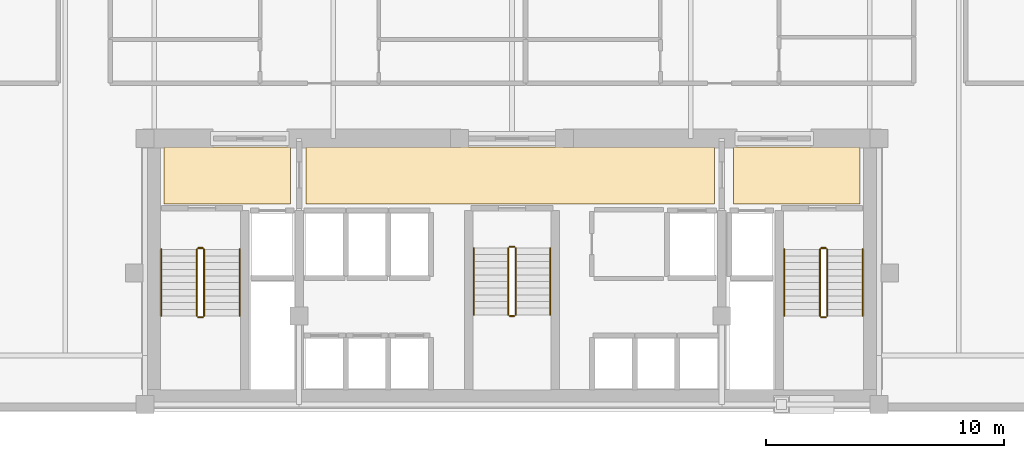
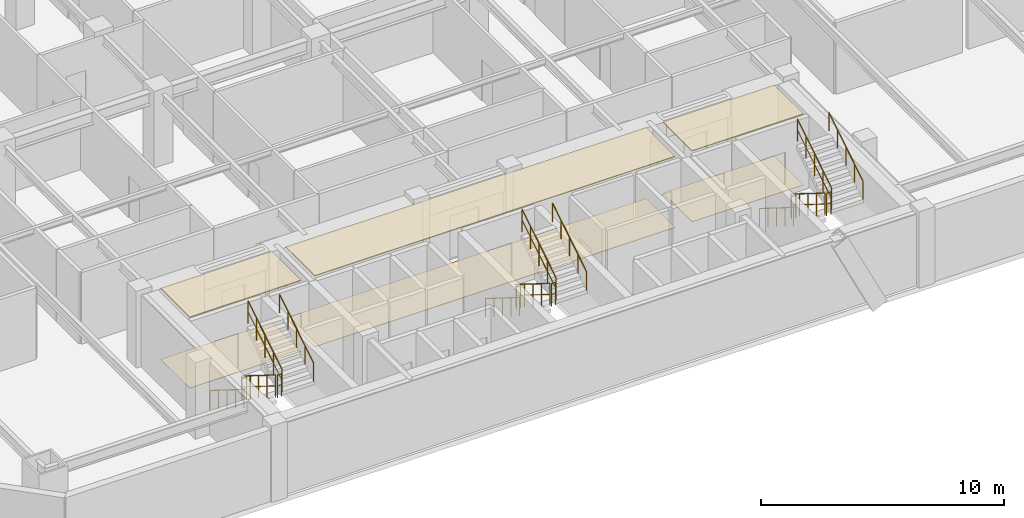
# One storey, part 8 of 8: 18 railings, 6 coverings.
"""IFC4 building model written with IfcOpenShell, lengths in metres."""

from ifc_helpers import new_model, si_unit, direction, frame, origin, origin_2d, place, context, subcontext, project, spatial, polyline, circle, outline, extrude, material, layer, layer_set, type_object, element, save


model = new_model("IFC4")

# Units and contexts
model_context = context("Model", 3, precision=1e-05, world=origin(), true_north=direction((0.0, 1.0)))
body_context = subcontext(model_context, "Body", "Model", "MODEL_VIEW")
ifc_project = project(units=[si_unit("LENGTHUNIT", "METRE"), si_unit("AREAUNIT", "SQUARE_METRE"), si_unit("VOLUMEUNIT", "CUBIC_METRE"), si_unit("PLANEANGLEUNIT", "RADIAN"), si_unit("MASSUNIT", "GRAM", prefix="KILO")], contexts=[model_context])

# Site, building, storey
site_placement = place(None, origin())
site = spatial("IfcSite", under=ifc_project, at=site_placement, CompositionType="ELEMENT")
building_placement = place(site_placement, origin())
building = spatial("IfcBuilding", under=site, at=building_placement, Name="Ventersveld Concourse Tower", CompositionType="ELEMENT")
storey_placement = place(building_placement, frame((0.0, 0.0, 33.64990234375)))
storey = spatial("IfcBuildingStorey", under=building, at=storey_placement, Name="L07", CompositionType="ELEMENT", Elevation=33.64990234375)

# Coverings
ifc_material_1 = material(Name="Mineral-fibre acoustic ceiling tile", Category="gypsum")
ifc_layer_1 = layer(ifc_material_1, 0.0400390625)
ifc_layer_set_1 = layer_set([ifc_layer_1], Name="Mineral-fibre acoustic ceiling tile")
covering_type_1 = type_object("IfcCoveringType", Name="COV-CEIL-ACOUSTIC", PredefinedType="CEILING", material=ifc_layer_set_1)
covering_1_placement = place(storey_placement, frame((0.0, 0.0, 3.56005859375)))
element("IfcCovering", 1, at=covering_1_placement, inside=storey, type_object=covering_type_1, Name="L07 North Lift Lobby Acoustic Ceiling", PredefinedType="CEILING", context=body_context, shape_type="SweptSolid", body=[
    extrude(outline(polyline([(20.10009765625, 8.699951171875), (37.25, 8.699951171875), (37.25, 11.10009765625), (20.10009765625, 11.10009765625), (20.10009765625, 8.699951171875)])), origin(), (0.0, 0.0, 1.0), 0.0400390625),
])
covering_2_placement = place(storey_placement, frame((0.0, 0.0, 3.56005859375)))
element("IfcCovering", 2, at=covering_2_placement, inside=storey, type_object=covering_type_1, Name="L07 West Firefighting Lobby Acoustic Ceiling", PredefinedType="CEILING", context=body_context, shape_type="SweptSolid", body=[
    extrude(outline(polyline([(14.14990234375, 8.699951171875), (19.449951171875, 8.699951171875), (19.449951171875, 11.10009765625), (14.14990234375, 11.10009765625), (14.14990234375, 8.699951171875)])), origin(), (0.0, 0.0, 1.0), 0.0400390625),
])
covering_3_placement = place(storey_placement, frame((0.0, 0.0, 3.56005859375)))
element("IfcCovering", 3, at=covering_3_placement, inside=storey, type_object=covering_type_1, Name="L07 East Firefighting Lobby Acoustic Ceiling", PredefinedType="CEILING", context=body_context, shape_type="SweptSolid", body=[
    extrude(outline(polyline([(38.050048828125, 8.699951171875), (43.35009765625, 8.699951171875), (43.35009765625, 11.10009765625), (38.050048828125, 11.10009765625), (38.050048828125, 8.699951171875)])), origin(), (0.0, 0.0, 1.0), 0.0400390625),
])
ifc_material_2 = material(Name="Polished Highveld granite terrazzo", Category="masonry")
ifc_layer_2 = layer(ifc_material_2, 0.02001953125)
ifc_layer_set_2 = layer_set([ifc_layer_2], Name="Polished Highveld granite terrazzo")
covering_type_2 = type_object("IfcCoveringType", Name="COV-FLOOR-TERRAZZO", PredefinedType="FLOORING", material=ifc_layer_set_2)
covering_4_placement = place(storey_placement, origin())
element("IfcCovering", 4, at=covering_4_placement, inside=storey, type_object=covering_type_2, Name="L07 North Lift Lobby Terrazzo Flooring", PredefinedType="FLOORING", context=body_context, shape_type="SweptSolid", body=[
    extrude(outline(polyline([(20.10009765625, 8.699951171875), (37.25, 8.699951171875), (37.25, 11.10009765625), (20.10009765625, 11.10009765625), (20.10009765625, 8.699951171875)])), origin(), (0.0, 0.0, 1.0), 0.02001953125),
])
covering_5_placement = place(storey_placement, origin())
element("IfcCovering", 5, at=covering_5_placement, inside=storey, type_object=covering_type_2, Name="L07 West Firefighting Lobby Terrazzo Flooring", PredefinedType="FLOORING", context=body_context, shape_type="SweptSolid", body=[
    extrude(outline(polyline([(14.14990234375, 8.699951171875), (19.449951171875, 8.699951171875), (19.449951171875, 11.10009765625), (14.14990234375, 11.10009765625), (14.14990234375, 8.699951171875)])), origin(), (0.0, 0.0, 1.0), 0.02001953125),
])
covering_6_placement = place(storey_placement, origin())
element("IfcCovering", 6, at=covering_6_placement, inside=storey, type_object=covering_type_2, Name="L07 East Firefighting Lobby Terrazzo Flooring", PredefinedType="FLOORING", context=body_context, shape_type="SweptSolid", body=[
    extrude(outline(polyline([(38.050048828125, 8.699951171875), (43.35009765625, 8.699951171875), (43.35009765625, 11.10009765625), (38.050048828125, 11.10009765625), (38.050048828125, 8.699951171875)])), origin(), (0.0, 0.0, 1.0), 0.02001953125),
])

# Railings
ifc_material_3 = material(Name="Brushed stainless steel 316", Category="steel")
railing_type_1 = type_object("IfcRailingType", Name="GD-BAL-115", PredefinedType="GUARDRAIL", material=ifc_material_3)
railing_1_placement = place(storey_placement, frame((15.530029296875, 6.800048828125, 0.175048828125)))
element("IfcRailing", 7, at=railing_1_placement, inside=storey, type_object=railing_type_1, Name="L07 ST-01 stair guard 1", PredefinedType="GUARDRAIL", context=body_context, shape_type="SweptSolid", body=[
    extrude(circle(Radius=0.02392578125, at=origin_2d()), frame((0.0, 0.0, 1.1259765625), z_axis=(0.0, -0.848002457836, 0.529992293815), x_axis=(1.0, 0.0, 0.0)), (0.0, 0.0, 1.0), 3.302001953125),
    extrude(circle(Radius=0.01611328125, at=origin_2d()), frame((0.0, 0.0, 0.574951171875), z_axis=(0.0, -0.848002457836, 0.529992293815), x_axis=(1.0, 0.0, 0.0)), (0.0, 0.0, 1.0), 3.302001953125),
    extrude(circle(Radius=0.02099609375, at=origin_2d()), origin(), (0.0, 0.0, 1.0), 1.101806640625),
    extrude(circle(Radius=0.02099609375, at=origin_2d()), frame((0.0, -0.699951171875, 0.4375)), (0.0, 0.0, 1.0), 1.101806640625),
    extrude(circle(Radius=0.02099609375, at=origin_2d()), frame((0.0, -1.39990234375, 0.875)), (0.0, 0.0, 1.0), 1.101806640625),
    extrude(circle(Radius=0.02099609375, at=origin_2d()), frame((0.0, -2.10009765625, 1.3125)), (0.0, 0.0, 1.0), 1.101806640625),
    extrude(circle(Radius=0.02099609375, at=origin_2d()), frame((0.0, -2.800048828125, 1.75)), (0.0, 0.0, 1.0), 1.101806640625),
])
railing_2_placement = place(storey_placement, frame((15.580078125, 3.949951171875, 1.925048828125)))
element("IfcRailing", 8, at=railing_2_placement, inside=storey, type_object=railing_type_1, Name="L07 ST-01 stair guard 2", PredefinedType="GUARDRAIL", context=body_context, shape_type="SweptSolid", body=[
    extrude(circle(Radius=0.02392578125, at=origin_2d()), frame((0.0, 0.0, 1.1259765625), z_axis=(1.0, 0.0, 0.0), x_axis=(0.0, 1.0, 0.0)), (0.0, 0.0, 1.0), 0.199951171875),
    extrude(circle(Radius=0.01611328125, at=origin_2d()), frame((0.0, 0.0, 0.574951171875), z_axis=(1.0, 0.0, 0.0), x_axis=(0.0, 1.0, 0.0)), (0.0, 0.0, 1.0), 0.199951171875),
    extrude(circle(Radius=0.02099609375, at=origin_2d()), origin(), (0.0, 0.0, 1.0), 1.101806640625),
    extrude(circle(Radius=0.02099609375, at=origin_2d()), frame((0.199951171875, 0.0, 0.0)), (0.0, 0.0, 1.0), 1.101806640625),
])
railing_3_placement = place(storey_placement, frame((15.830078125, 4.0, 2.10009765625)))
element("IfcRailing", 9, at=railing_3_placement, inside=storey, type_object=railing_type_1, Name="L07 ST-01 stair guard 3", PredefinedType="GUARDRAIL", context=body_context, shape_type="SweptSolid", body=[
    extrude(circle(Radius=0.02392578125, at=origin_2d()), frame((0.0, 0.0, 1.1259765625), z_axis=(0.0, 0.848002457836, 0.529992293815), x_axis=(-1.0, 0.0, 0.0)), (0.0, 0.0, 1.0), 3.302001953125),
    extrude(circle(Radius=0.01611328125, at=origin_2d()), frame((0.0, 0.0, 0.574951171875), z_axis=(0.0, 0.848002457836, 0.529992293815), x_axis=(-1.0, 0.0, 0.0)), (0.0, 0.0, 1.0), 3.302001953125),
    extrude(circle(Radius=0.02099609375, at=origin_2d()), origin(), (0.0, 0.0, 1.0), 1.101806640625),
    extrude(circle(Radius=0.02099609375, at=origin_2d()), frame((0.0, 0.699951171875, 0.4375)), (0.0, 0.0, 1.0), 1.101806640625),
    extrude(circle(Radius=0.02099609375, at=origin_2d()), frame((0.0, 1.39990234375, 0.875)), (0.0, 0.0, 1.0), 1.101806640625),
    extrude(circle(Radius=0.02099609375, at=origin_2d()), frame((0.0, 2.10009765625, 1.3125)), (0.0, 0.0, 1.0), 1.101806640625),
    extrude(circle(Radius=0.02099609375, at=origin_2d()), frame((0.0, 2.800048828125, 1.75)), (0.0, 0.0, 1.0), 1.101806640625),
])
railing_4_placement = place(storey_placement, frame((15.580078125, 6.85009765625, 0.0)))
element("IfcRailing", 10, at=railing_4_placement, inside=storey, type_object=railing_type_1, Name="L07 ST-01 stair guard 4", PredefinedType="GUARDRAIL", context=body_context, shape_type="SweptSolid", body=[
    extrude(circle(Radius=0.02392578125, at=origin_2d()), frame((0.0, 0.0, 1.1259765625), z_axis=(1.0, 0.0, 0.0), x_axis=(0.0, 1.0, 0.0)), (0.0, 0.0, 1.0), 0.199951171875),
    extrude(circle(Radius=0.01611328125, at=origin_2d()), frame((0.0, 0.0, 0.574951171875), z_axis=(1.0, 0.0, 0.0), x_axis=(0.0, 1.0, 0.0)), (0.0, 0.0, 1.0), 0.199951171875),
    extrude(circle(Radius=0.02099609375, at=origin_2d()), origin(), (0.0, 0.0, 1.0), 1.101806640625),
    extrude(circle(Radius=0.02099609375, at=origin_2d()), frame((0.199951171875, 0.0, 0.0)), (0.0, 0.0, 1.0), 1.101806640625),
])
railing_5_placement = place(storey_placement, frame((41.669921875, 6.800048828125, 0.175048828125)))
element("IfcRailing", 11, at=railing_5_placement, inside=storey, type_object=railing_type_1, Name="L07 ST-02 stair guard 1", PredefinedType="GUARDRAIL", context=body_context, shape_type="SweptSolid", body=[
    extrude(circle(Radius=0.02392578125, at=origin_2d()), frame((0.0, 0.0, 1.1259765625), z_axis=(0.0, -0.848002457836, 0.529992293815), x_axis=(1.0, 0.0, 0.0)), (0.0, 0.0, 1.0), 3.302001953125),
    extrude(circle(Radius=0.01611328125, at=origin_2d()), frame((0.0, 0.0, 0.574951171875), z_axis=(0.0, -0.848002457836, 0.529992293815), x_axis=(1.0, 0.0, 0.0)), (0.0, 0.0, 1.0), 3.302001953125),
    extrude(circle(Radius=0.02099609375, at=origin_2d()), origin(), (0.0, 0.0, 1.0), 1.101806640625),
    extrude(circle(Radius=0.02099609375, at=origin_2d()), frame((0.0, -0.699951171875, 0.4375)), (0.0, 0.0, 1.0), 1.101806640625),
    extrude(circle(Radius=0.02099609375, at=origin_2d()), frame((0.0, -1.39990234375, 0.875)), (0.0, 0.0, 1.0), 1.101806640625),
    extrude(circle(Radius=0.02099609375, at=origin_2d()), frame((0.0, -2.10009765625, 1.3125)), (0.0, 0.0, 1.0), 1.101806640625),
    extrude(circle(Radius=0.02099609375, at=origin_2d()), frame((0.0, -2.800048828125, 1.75)), (0.0, 0.0, 1.0), 1.101806640625),
])
railing_6_placement = place(storey_placement, frame((41.719970703125, 3.949951171875, 1.925048828125)))
element("IfcRailing", 12, at=railing_6_placement, inside=storey, type_object=railing_type_1, Name="L07 ST-02 stair guard 2", PredefinedType="GUARDRAIL", context=body_context, shape_type="SweptSolid", body=[
    extrude(circle(Radius=0.02392578125, at=origin_2d()), frame((0.0, 0.0, 1.1259765625), z_axis=(1.0, 0.0, 0.0), x_axis=(0.0, 1.0, 0.0)), (0.0, 0.0, 1.0), 0.199951171875),
    extrude(circle(Radius=0.01611328125, at=origin_2d()), frame((0.0, 0.0, 0.574951171875), z_axis=(1.0, 0.0, 0.0), x_axis=(0.0, 1.0, 0.0)), (0.0, 0.0, 1.0), 0.199951171875),
    extrude(circle(Radius=0.02099609375, at=origin_2d()), origin(), (0.0, 0.0, 1.0), 1.101806640625),
    extrude(circle(Radius=0.02099609375, at=origin_2d()), frame((0.199951171875, 0.0, 0.0)), (0.0, 0.0, 1.0), 1.101806640625),
])
railing_7_placement = place(storey_placement, frame((41.969970703125, 4.0, 2.10009765625)))
element("IfcRailing", 13, at=railing_7_placement, inside=storey, type_object=railing_type_1, Name="L07 ST-02 stair guard 3", PredefinedType="GUARDRAIL", context=body_context, shape_type="SweptSolid", body=[
    extrude(circle(Radius=0.02392578125, at=origin_2d()), frame((0.0, 0.0, 1.1259765625), z_axis=(0.0, 0.848002457836, 0.529992293815), x_axis=(-1.0, 0.0, 0.0)), (0.0, 0.0, 1.0), 3.302001953125),
    extrude(circle(Radius=0.01611328125, at=origin_2d()), frame((0.0, 0.0, 0.574951171875), z_axis=(0.0, 0.848002457836, 0.529992293815), x_axis=(-1.0, 0.0, 0.0)), (0.0, 0.0, 1.0), 3.302001953125),
    extrude(circle(Radius=0.02099609375, at=origin_2d()), origin(), (0.0, 0.0, 1.0), 1.101806640625),
    extrude(circle(Radius=0.02099609375, at=origin_2d()), frame((0.0, 0.699951171875, 0.4375)), (0.0, 0.0, 1.0), 1.101806640625),
    extrude(circle(Radius=0.02099609375, at=origin_2d()), frame((0.0, 1.39990234375, 0.875)), (0.0, 0.0, 1.0), 1.101806640625),
    extrude(circle(Radius=0.02099609375, at=origin_2d()), frame((0.0, 2.10009765625, 1.3125)), (0.0, 0.0, 1.0), 1.101806640625),
    extrude(circle(Radius=0.02099609375, at=origin_2d()), frame((0.0, 2.800048828125, 1.75)), (0.0, 0.0, 1.0), 1.101806640625),
])
railing_8_placement = place(storey_placement, frame((41.719970703125, 6.85009765625, 0.0)))
element("IfcRailing", 14, at=railing_8_placement, inside=storey, type_object=railing_type_1, Name="L07 ST-02 stair guard 4", PredefinedType="GUARDRAIL", context=body_context, shape_type="SweptSolid", body=[
    extrude(circle(Radius=0.02392578125, at=origin_2d()), frame((0.0, 0.0, 1.1259765625), z_axis=(1.0, 0.0, 0.0), x_axis=(0.0, 1.0, 0.0)), (0.0, 0.0, 1.0), 0.199951171875),
    extrude(circle(Radius=0.01611328125, at=origin_2d()), frame((0.0, 0.0, 0.574951171875), z_axis=(1.0, 0.0, 0.0), x_axis=(0.0, 1.0, 0.0)), (0.0, 0.0, 1.0), 0.199951171875),
    extrude(circle(Radius=0.02099609375, at=origin_2d()), origin(), (0.0, 0.0, 1.0), 1.101806640625),
    extrude(circle(Radius=0.02099609375, at=origin_2d()), frame((0.199951171875, 0.0, 0.0)), (0.0, 0.0, 1.0), 1.101806640625),
])
railing_9_placement = place(storey_placement, frame((28.60009765625, 6.85009765625, 0.175048828125)))
element("IfcRailing", 15, at=railing_9_placement, inside=storey, type_object=railing_type_1, Name="L07 ST-03 stair guard 1", PredefinedType="GUARDRAIL", context=body_context, shape_type="SweptSolid", body=[
    extrude(circle(Radius=0.02392578125, at=origin_2d()), frame((0.0, 0.0, 1.1259765625), z_axis=(0.0, -0.848002457836, 0.529992293815), x_axis=(1.0, 0.0, 0.0)), (0.0, 0.0, 1.0), 3.302001953125),
    extrude(circle(Radius=0.01611328125, at=origin_2d()), frame((0.0, 0.0, 0.574951171875), z_axis=(0.0, -0.848002457836, 0.529992293815), x_axis=(1.0, 0.0, 0.0)), (0.0, 0.0, 1.0), 3.302001953125),
    extrude(circle(Radius=0.02099609375, at=origin_2d()), origin(), (0.0, 0.0, 1.0), 1.101806640625),
    extrude(circle(Radius=0.02099609375, at=origin_2d()), frame((0.0, -0.699951171875, 0.4375)), (0.0, 0.0, 1.0), 1.101806640625),
    extrude(circle(Radius=0.02099609375, at=origin_2d()), frame((0.0, -1.39990234375, 0.875)), (0.0, 0.0, 1.0), 1.101806640625),
    extrude(circle(Radius=0.02099609375, at=origin_2d()), frame((0.0, -2.10009765625, 1.3125)), (0.0, 0.0, 1.0), 1.101806640625),
    extrude(circle(Radius=0.02099609375, at=origin_2d()), frame((0.0, -2.800048828125, 1.75)), (0.0, 0.0, 1.0), 1.101806640625),
])
railing_10_placement = place(storey_placement, frame((28.64990234375, 4.0, 1.925048828125)))
element("IfcRailing", 16, at=railing_10_placement, inside=storey, type_object=railing_type_1, Name="L07 ST-03 stair guard 2", PredefinedType="GUARDRAIL", context=body_context, shape_type="SweptSolid", body=[
    extrude(circle(Radius=0.02392578125, at=origin_2d()), frame((0.0, 0.0, 1.1259765625), z_axis=(1.0, 0.0, 0.0), x_axis=(0.0, 1.0, 0.0)), (0.0, 0.0, 1.0), 0.2001953125),
    extrude(circle(Radius=0.01611328125, at=origin_2d()), frame((0.0, 0.0, 0.574951171875), z_axis=(1.0, 0.0, 0.0), x_axis=(0.0, 1.0, 0.0)), (0.0, 0.0, 1.0), 0.2001953125),
    extrude(circle(Radius=0.02099609375, at=origin_2d()), origin(), (0.0, 0.0, 1.0), 1.101806640625),
    extrude(circle(Radius=0.02099609375, at=origin_2d()), frame((0.2001953125, 0.0, 0.0)), (0.0, 0.0, 1.0), 1.101806640625),
])
railing_11_placement = place(storey_placement, frame((28.89990234375, 4.050048828125, 2.10009765625)))
element("IfcRailing", 17, at=railing_11_placement, inside=storey, type_object=railing_type_1, Name="L07 ST-03 stair guard 3", PredefinedType="GUARDRAIL", context=body_context, shape_type="SweptSolid", body=[
    extrude(circle(Radius=0.02392578125, at=origin_2d()), frame((0.0, 0.0, 1.1259765625), z_axis=(0.0, 0.848002457836, 0.529992293815), x_axis=(-1.0, 0.0, 0.0)), (0.0, 0.0, 1.0), 3.302001953125),
    extrude(circle(Radius=0.01611328125, at=origin_2d()), frame((0.0, 0.0, 0.574951171875), z_axis=(0.0, 0.848002457836, 0.529992293815), x_axis=(-1.0, 0.0, 0.0)), (0.0, 0.0, 1.0), 3.302001953125),
    extrude(circle(Radius=0.02099609375, at=origin_2d()), origin(), (0.0, 0.0, 1.0), 1.101806640625),
    extrude(circle(Radius=0.02099609375, at=origin_2d()), frame((0.0, 0.699951171875, 0.4375)), (0.0, 0.0, 1.0), 1.101806640625),
    extrude(circle(Radius=0.02099609375, at=origin_2d()), frame((0.0, 1.39990234375, 0.875)), (0.0, 0.0, 1.0), 1.101806640625),
    extrude(circle(Radius=0.02099609375, at=origin_2d()), frame((0.0, 2.10009765625, 1.3125)), (0.0, 0.0, 1.0), 1.101806640625),
    extrude(circle(Radius=0.02099609375, at=origin_2d()), frame((0.0, 2.800048828125, 1.75)), (0.0, 0.0, 1.0), 1.101806640625),
])
railing_12_placement = place(storey_placement, frame((28.64990234375, 6.89990234375, 0.0)))
element("IfcRailing", 18, at=railing_12_placement, inside=storey, type_object=railing_type_1, Name="L07 ST-03 stair guard 4", PredefinedType="GUARDRAIL", context=body_context, shape_type="SweptSolid", body=[
    extrude(circle(Radius=0.02392578125, at=origin_2d()), frame((0.0, 0.0, 1.1259765625), z_axis=(1.0, 0.0, 0.0), x_axis=(0.0, 1.0, 0.0)), (0.0, 0.0, 1.0), 0.2001953125),
    extrude(circle(Radius=0.01611328125, at=origin_2d()), frame((0.0, 0.0, 0.574951171875), z_axis=(1.0, 0.0, 0.0), x_axis=(0.0, 1.0, 0.0)), (0.0, 0.0, 1.0), 0.2001953125),
    extrude(circle(Radius=0.02099609375, at=origin_2d()), origin(), (0.0, 0.0, 1.0), 1.101806640625),
    extrude(circle(Radius=0.02099609375, at=origin_2d()), frame((0.2001953125, 0.0, 0.0)), (0.0, 0.0, 1.0), 1.101806640625),
])
railing_type_2 = type_object("IfcRailingType", Name="HR-RMP-095", PredefinedType="HANDRAIL", material=ifc_material_3)
railing_13_placement = place(storey_placement, frame((14.030029296875, 6.800048828125, 0.175048828125)))
element("IfcRailing", 19, at=railing_13_placement, inside=storey, type_object=railing_type_2, Name="L07 ST-01 stair handrail 1", PredefinedType="HANDRAIL", context=body_context, shape_type="SweptSolid", body=[
    extrude(circle(Radius=0.02392578125, at=origin_2d()), frame((0.0, 0.0, 0.92578125), z_axis=(0.0, -0.848002457836, 0.529992293815), x_axis=(1.0, 0.0, 0.0)), (0.0, 0.0, 1.0), 3.302001953125),
    extrude(circle(Radius=0.02099609375, at=origin_2d()), origin(), (0.0, 0.0, 1.0), 0.90185546875),
    extrude(circle(Radius=0.02099609375, at=origin_2d()), frame((0.0, -0.699951171875, 0.4375)), (0.0, 0.0, 1.0), 0.90185546875),
    extrude(circle(Radius=0.02099609375, at=origin_2d()), frame((0.0, -1.39990234375, 0.875)), (0.0, 0.0, 1.0), 0.90185546875),
    extrude(circle(Radius=0.02099609375, at=origin_2d()), frame((0.0, -2.10009765625, 1.3125)), (0.0, 0.0, 1.0), 0.90185546875),
    extrude(circle(Radius=0.02099609375, at=origin_2d()), frame((0.0, -2.800048828125, 1.75)), (0.0, 0.0, 1.0), 0.90185546875),
])
railing_14_placement = place(storey_placement, frame((17.330078125, 4.0, 2.10009765625)))
element("IfcRailing", 20, at=railing_14_placement, inside=storey, type_object=railing_type_2, Name="L07 ST-01 stair handrail 2", PredefinedType="HANDRAIL", context=body_context, shape_type="SweptSolid", body=[
    extrude(circle(Radius=0.02392578125, at=origin_2d()), frame((0.0, 0.0, 0.92578125), z_axis=(0.0, 0.848002457836, 0.529992293815), x_axis=(-1.0, 0.0, 0.0)), (0.0, 0.0, 1.0), 3.302001953125),
    extrude(circle(Radius=0.02099609375, at=origin_2d()), origin(), (0.0, 0.0, 1.0), 0.90185546875),
    extrude(circle(Radius=0.02099609375, at=origin_2d()), frame((0.0, 0.699951171875, 0.4375)), (0.0, 0.0, 1.0), 0.90185546875),
    extrude(circle(Radius=0.02099609375, at=origin_2d()), frame((0.0, 1.39990234375, 0.875)), (0.0, 0.0, 1.0), 0.90185546875),
    extrude(circle(Radius=0.02099609375, at=origin_2d()), frame((0.0, 2.10009765625, 1.3125)), (0.0, 0.0, 1.0), 0.90185546875),
    extrude(circle(Radius=0.02099609375, at=origin_2d()), frame((0.0, 2.800048828125, 1.75)), (0.0, 0.0, 1.0), 0.90185546875),
])
railing_15_placement = place(storey_placement, frame((40.169921875, 6.800048828125, 0.175048828125)))
element("IfcRailing", 21, at=railing_15_placement, inside=storey, type_object=railing_type_2, Name="L07 ST-02 stair handrail 1", PredefinedType="HANDRAIL", context=body_context, shape_type="SweptSolid", body=[
    extrude(circle(Radius=0.02392578125, at=origin_2d()), frame((0.0, 0.0, 0.92578125), z_axis=(0.0, -0.848002457836, 0.529992293815), x_axis=(1.0, 0.0, 0.0)), (0.0, 0.0, 1.0), 3.302001953125),
    extrude(circle(Radius=0.02099609375, at=origin_2d()), origin(), (0.0, 0.0, 1.0), 0.90185546875),
    extrude(circle(Radius=0.02099609375, at=origin_2d()), frame((0.0, -0.699951171875, 0.4375)), (0.0, 0.0, 1.0), 0.90185546875),
    extrude(circle(Radius=0.02099609375, at=origin_2d()), frame((0.0, -1.39990234375, 0.875)), (0.0, 0.0, 1.0), 0.90185546875),
    extrude(circle(Radius=0.02099609375, at=origin_2d()), frame((0.0, -2.10009765625, 1.3125)), (0.0, 0.0, 1.0), 0.90185546875),
    extrude(circle(Radius=0.02099609375, at=origin_2d()), frame((0.0, -2.800048828125, 1.75)), (0.0, 0.0, 1.0), 0.90185546875),
])
railing_16_placement = place(storey_placement, frame((43.469970703125, 4.0, 2.10009765625)))
element("IfcRailing", 22, at=railing_16_placement, inside=storey, type_object=railing_type_2, Name="L07 ST-02 stair handrail 2", PredefinedType="HANDRAIL", context=body_context, shape_type="SweptSolid", body=[
    extrude(circle(Radius=0.02392578125, at=origin_2d()), frame((0.0, 0.0, 0.92578125), z_axis=(0.0, 0.848002457836, 0.529992293815), x_axis=(-1.0, 0.0, 0.0)), (0.0, 0.0, 1.0), 3.302001953125),
    extrude(circle(Radius=0.02099609375, at=origin_2d()), origin(), (0.0, 0.0, 1.0), 0.90185546875),
    extrude(circle(Radius=0.02099609375, at=origin_2d()), frame((0.0, 0.699951171875, 0.4375)), (0.0, 0.0, 1.0), 0.90185546875),
    extrude(circle(Radius=0.02099609375, at=origin_2d()), frame((0.0, 1.39990234375, 0.875)), (0.0, 0.0, 1.0), 0.90185546875),
    extrude(circle(Radius=0.02099609375, at=origin_2d()), frame((0.0, 2.10009765625, 1.3125)), (0.0, 0.0, 1.0), 0.90185546875),
    extrude(circle(Radius=0.02099609375, at=origin_2d()), frame((0.0, 2.800048828125, 1.75)), (0.0, 0.0, 1.0), 0.90185546875),
])
railing_17_placement = place(storey_placement, frame((27.14990234375, 6.85009765625, 0.175048828125)))
element("IfcRailing", 23, at=railing_17_placement, inside=storey, type_object=railing_type_2, Name="L07 ST-03 stair handrail 1", PredefinedType="HANDRAIL", context=body_context, shape_type="SweptSolid", body=[
    extrude(circle(Radius=0.02392578125, at=origin_2d()), frame((0.0, 0.0, 0.92578125), z_axis=(0.0, -0.848002457836, 0.529992293815), x_axis=(1.0, 0.0, 0.0)), (0.0, 0.0, 1.0), 3.302001953125),
    extrude(circle(Radius=0.02099609375, at=origin_2d()), origin(), (0.0, 0.0, 1.0), 0.90185546875),
    extrude(circle(Radius=0.02099609375, at=origin_2d()), frame((0.0, -0.699951171875, 0.4375)), (0.0, 0.0, 1.0), 0.90185546875),
    extrude(circle(Radius=0.02099609375, at=origin_2d()), frame((0.0, -1.39990234375, 0.875)), (0.0, 0.0, 1.0), 0.90185546875),
    extrude(circle(Radius=0.02099609375, at=origin_2d()), frame((0.0, -2.10009765625, 1.3125)), (0.0, 0.0, 1.0), 0.90185546875),
    extrude(circle(Radius=0.02099609375, at=origin_2d()), frame((0.0, -2.800048828125, 1.75)), (0.0, 0.0, 1.0), 0.90185546875),
])
railing_18_placement = place(storey_placement, frame((30.35009765625, 4.050048828125, 2.10009765625)))
element("IfcRailing", 24, at=railing_18_placement, inside=storey, type_object=railing_type_2, Name="L07 ST-03 stair handrail 2", PredefinedType="HANDRAIL", context=body_context, shape_type="SweptSolid", body=[
    extrude(circle(Radius=0.02392578125, at=origin_2d()), frame((0.0, 0.0, 0.92578125), z_axis=(0.0, 0.848002457836, 0.529992293815), x_axis=(-1.0, 0.0, 0.0)), (0.0, 0.0, 1.0), 3.302001953125),
    extrude(circle(Radius=0.02099609375, at=origin_2d()), origin(), (0.0, 0.0, 1.0), 0.90185546875),
    extrude(circle(Radius=0.02099609375, at=origin_2d()), frame((0.0, 0.699951171875, 0.4375)), (0.0, 0.0, 1.0), 0.90185546875),
    extrude(circle(Radius=0.02099609375, at=origin_2d()), frame((0.0, 1.39990234375, 0.875)), (0.0, 0.0, 1.0), 0.90185546875),
    extrude(circle(Radius=0.02099609375, at=origin_2d()), frame((0.0, 2.10009765625, 1.3125)), (0.0, 0.0, 1.0), 0.90185546875),
    extrude(circle(Radius=0.02099609375, at=origin_2d()), frame((0.0, 2.800048828125, 1.75)), (0.0, 0.0, 1.0), 0.90185546875),
])

save(model, "model.ifc")
